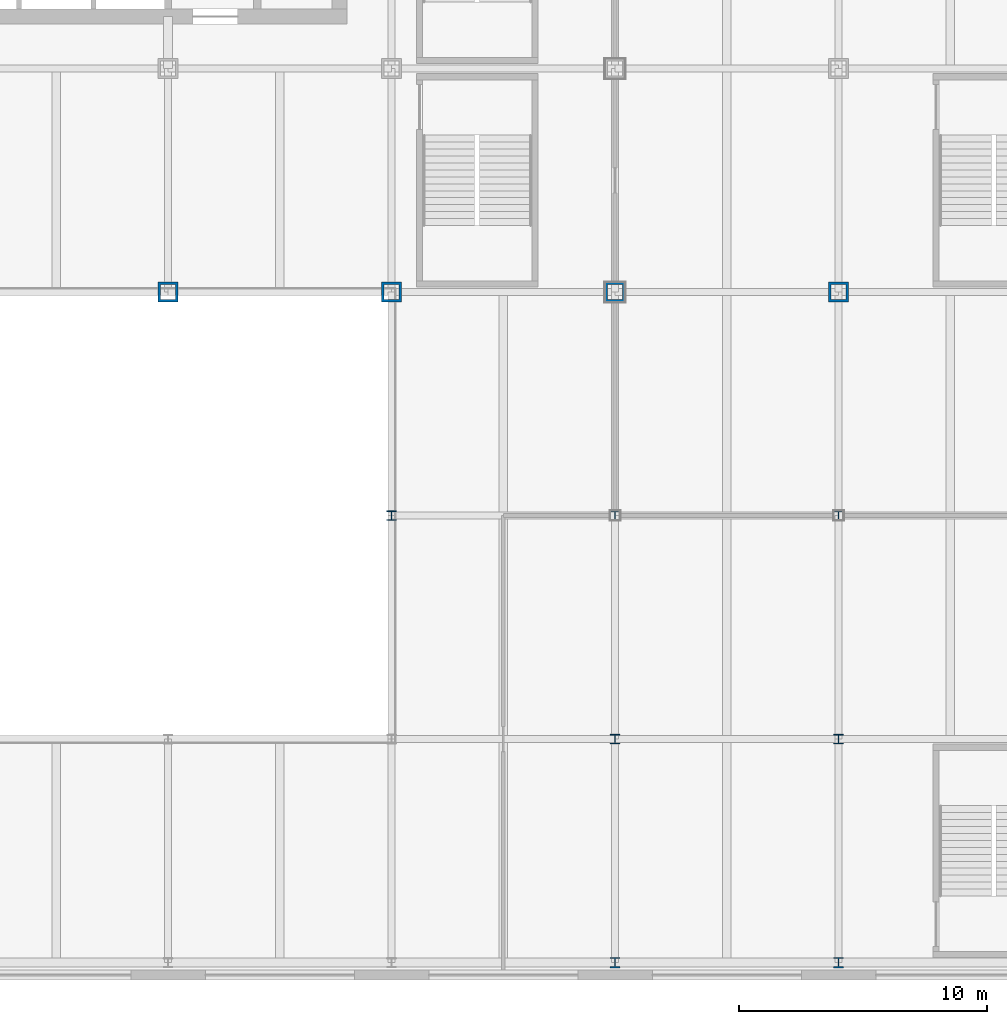
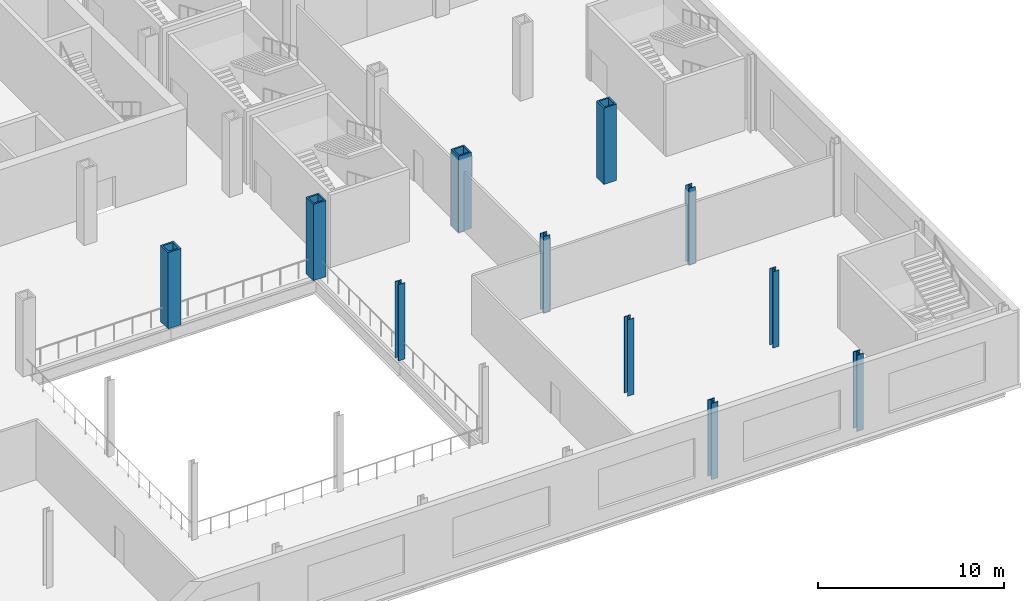
# One storey, part 2 of 28: 11 columns.
"""IFC4 building model written with IfcOpenShell, lengths in metres."""

from ifc_helpers import new_model, si_unit, direction, frame, origin, origin_2d, place, context, subcontext, project, spatial, hollow_rectangle, i_section, extrude, material, material_profile, profile_set, type_object, element, save


model = new_model("IFC4")

# Units and contexts
model_context = context("Model", 3, precision=1e-05, world=origin(), true_north=direction((0.0, 1.0)))
body_context = subcontext(model_context, "Body", "Model", "MODEL_VIEW")
ifc_project = project(units=[si_unit("LENGTHUNIT", "METRE"), si_unit("AREAUNIT", "SQUARE_METRE"), si_unit("VOLUMEUNIT", "CUBIC_METRE"), si_unit("PLANEANGLEUNIT", "RADIAN"), si_unit("MASSUNIT", "GRAM", prefix="KILO")], contexts=[model_context])

# Site, building, storey
site_placement = place(None, origin())
site = spatial("IfcSite", under=ifc_project, at=site_placement, CompositionType="ELEMENT")
building_placement = place(site_placement, origin())
building = spatial("IfcBuilding", under=site, at=building_placement, Name="Loomwork Tower", CompositionType="ELEMENT")
storey_placement = place(building_placement, frame((0.0, 0.0, 6.0)))
storey = spatial("IfcBuildingStorey", under=building, at=storey_placement, Name="L01", CompositionType="ELEMENT", Elevation=6.0)

# Columns
ifc_material_1 = material(Name="Steel ASTM A572 Grade 50 plate", Category="steel")
ifc_material_profile_1 = material_profile(ifc_material_1, hollow_rectangle(XDim=0.800048828125, YDim=0.800048828125, WallThickness=0.10009765625, at=origin_2d()), Name="BOX800x100")
ifc_profile_set_1 = profile_set([ifc_material_profile_1], Name="Steel ASTM A572 Grade 50 plate")
column_type_1 = type_object("IfcColumnType", Name="EXOSKELETON PIER BOX800x100", PredefinedType="COLUMN", material=ifc_profile_set_1)
for number, where, z_axis, x_axis, name in (
    (1, (27.0, 0.0, 0.0), (0.0, 0.0, 1.0), (1.0, 0.0, 0.0), "Exoskeleton Pier D/5 L01"),
    (2, (36.0, 0.0, 0.0), (0.0, 0.0, 1.0), (1.0, 0.0, 0.0), "Exoskeleton Pier D/6 L01"),
    (3, (45.0, 0.0, 0.0), (0.0, 0.0, 1.0), (1.0, 0.0, 0.0), "Exoskeleton Pier D/7 L01"),
    (4, (54.0, 0.0, 0.0), (0.0, 0.0, 1.0), (1.0, 0.0, 0.0), "Exoskeleton Pier D/8 L01"),
):
    element("IfcColumn", number, at=place(storey_placement, frame(where, z_axis=z_axis, x_axis=x_axis)), inside=storey, type_object=column_type_1, Name=name, PredefinedType="COLUMN", context=body_context, shape_type="SweptSolid", body=[
        extrude(hollow_rectangle(XDim=0.800048828125, YDim=0.800048828125, WallThickness=0.10009765625, at=origin_2d()), origin(), (0.0, 0.0, 1.0), 5.0),
    ])
ifc_material_2 = material(Name="Steel ASTM A992", Category="steel")
ifc_material_profile_2 = material_profile(ifc_material_2, i_section(OverallWidth=0.393798828125, OverallDepth=0.3759765625, WebThickness=0.017333984375, FlangeThickness=0.027587890625, at=origin_2d()), Name="W14x145")
ifc_profile_set_2 = profile_set([ifc_material_profile_2], Name="Steel ASTM A992")
column_type_2 = type_object("IfcColumnType", Name="PODIUM COLUMN W14x145", PredefinedType="COLUMN", material=ifc_profile_set_2)
for number, where, z_axis, x_axis, name in (
    (5, (36.0, -9.0, 0.0), (0.0, 0.0, 1.0), (1.0, 0.0, 0.0), "Podium Column C/6 L01"),
    (6, (45.0, -18.0, 0.0), (0.0, 0.0, 1.0), (1.0, 0.0, 0.0), "Podium Column B/7 L01"),
    (7, (45.0, -9.0, 0.0), (0.0, 0.0, 1.0), (1.0, 0.0, 0.0), "Podium Column C/7 L01"),
    (8, (54.0, -18.0, 0.0), (0.0, 0.0, 1.0), (1.0, 0.0, 0.0), "Podium Column B/8 L01"),
    (9, (54.0, -9.0, 0.0), (0.0, 0.0, 1.0), (1.0, 0.0, 0.0), "Podium Column C/8 L01"),
):
    element("IfcColumn", number, at=place(storey_placement, frame(where, z_axis=z_axis, x_axis=x_axis)), inside=storey, type_object=column_type_2, Name=name, PredefinedType="COLUMN", context=body_context, shape_type="SweptSolid", body=[
        extrude(i_section(OverallWidth=0.393798828125, OverallDepth=0.3759765625, WebThickness=0.017333984375, FlangeThickness=0.027587890625, at=origin_2d()), origin(), (0.0, 0.0, 1.0), 5.0),
    ])
ifc_material_3 = material(Name="Steel ASTM A992", Category="steel")
ifc_material_profile_3 = material_profile(ifc_material_3, i_section(OverallWidth=0.408935546875, OverallDepth=0.424072265625, WebThickness=0.03271484375, FlangeThickness=0.052490234375, at=origin_2d()), Name="W14x283")
ifc_profile_set_3 = profile_set([ifc_material_profile_3], Name="Steel ASTM A992")
column_type_3 = type_object("IfcColumnType", Name="PODIUM COLUMN W14x283", PredefinedType="COLUMN", material=ifc_profile_set_3)
for number, where, z_axis, x_axis, name in (
    (10, (45.0, -27.0, 0.0), (0.0, 0.0, 1.0), (1.0, 0.0, 0.0), "Podium Column A/7 L01"),
    (11, (54.0, -27.0, 0.0), (0.0, 0.0, 1.0), (1.0, 0.0, 0.0), "Podium Column A/8 L01"),
):
    element("IfcColumn", number, at=place(storey_placement, frame(where, z_axis=z_axis, x_axis=x_axis)), inside=storey, type_object=column_type_3, Name=name, PredefinedType="COLUMN", context=body_context, shape_type="SweptSolid", body=[
        extrude(i_section(OverallWidth=0.408935546875, OverallDepth=0.424072265625, WebThickness=0.03271484375, FlangeThickness=0.052490234375, at=origin_2d()), origin(), (0.0, 0.0, 1.0), 5.0),
    ])

save(model, "model.ifc")
